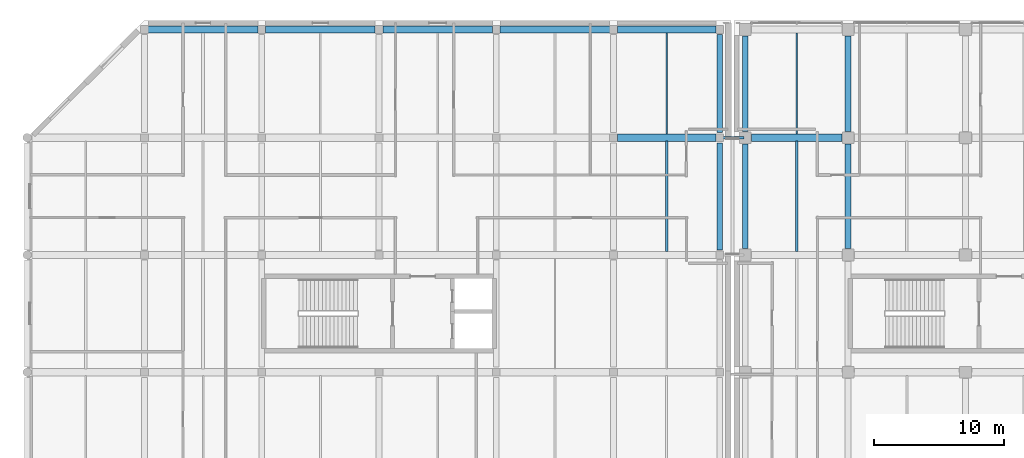
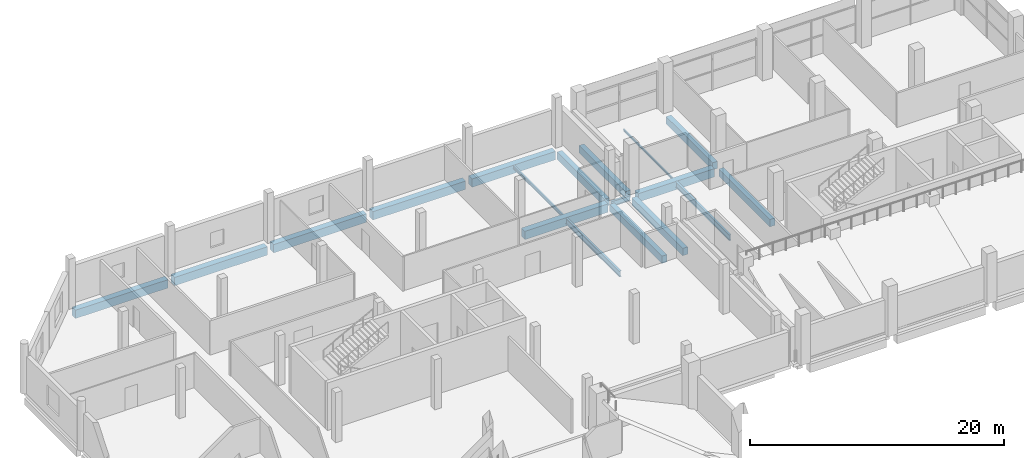
# One storey, part 29 of 100: 18 beams.
"""IFC4 building model written with IfcOpenShell, lengths in metres."""

from ifc_helpers import new_model, si_unit, direction, frame, origin, origin_2d, place, context, subcontext, project, spatial, rectangle, i_section, extrude, material, material_profile, profile_set, type_object, element, save


model = new_model("IFC4")

# Units and contexts
model_context = context("Model", 3, precision=1e-05, world=origin(), true_north=direction((0.0, 1.0)))
body_context = subcontext(model_context, "Body", "Model", "MODEL_VIEW")
ifc_project = project(units=[si_unit("LENGTHUNIT", "METRE"), si_unit("AREAUNIT", "SQUARE_METRE"), si_unit("VOLUMEUNIT", "CUBIC_METRE"), si_unit("PLANEANGLEUNIT", "RADIAN"), si_unit("MASSUNIT", "GRAM", prefix="KILO"), si_unit("THERMODYNAMICTEMPERATUREUNIT", "KELVIN"), si_unit("POWERUNIT", "WATT")], contexts=[model_context])

# Site, building, storey
site_placement = place(None, origin())
site = spatial("IfcSite", under=ifc_project, at=site_placement, CompositionType="ELEMENT")
building_placement = place(site_placement, origin())
building = spatial("IfcBuilding", under=site, at=building_placement, Name="Sindhuravela Promenade Stadium", CompositionType="ELEMENT")
storey_placement = place(building_placement, frame((0.0, 0.0, 4.800048828125)))
storey = spatial("IfcBuildingStorey", under=building, at=storey_placement, Name="L01", CompositionType="ELEMENT", Elevation=4.800048828125)

# Beams
ifc_material_1 = material(Name="Concrete M40", Category="concrete")
ifc_material_profile_1 = material_profile(ifc_material_1, rectangle(XDim=0.449951171875, YDim=0.699951171875, at=origin_2d()), Name="RC 450x700")
ifc_profile_set_1 = profile_set([ifc_material_profile_1], Name="Concrete M40")
beam_type_1 = type_object("IfcBeamType", Name="RC-BM-450x700", PredefinedType="BEAM", material=ifc_profile_set_1)
beam_1_placement = place(storey_placement, frame((55.10009765625, 144.489990234375, -0.650146484375), z_axis=(0.0, 1.0, 0.0), x_axis=(-1.0, 0.0, 0.0)))
element("IfcBeam", 1, at=beam_1_placement, inside=storey, type_object=beam_type_1, Name="Primary beam GB07 NORTH L01", PredefinedType="BEAM", context=body_context, shape_type="SweptSolid", body=[
    extrude(rectangle(XDim=0.449951171875, YDim=0.699951171875, at=origin_2d()), origin(), (0.0, 0.0, 1.0), 8.02001953125),
])
beam_2_placement = place(storey_placement, frame((55.10009765625, 153.489990234375, -0.650146484375), z_axis=(0.0, 1.0, 0.0), x_axis=(-1.0, 0.0, 0.0)))
element("IfcBeam", 2, at=beam_2_placement, inside=storey, type_object=beam_type_1, Name="Primary beam GB07 NORTH L01", PredefinedType="BEAM", context=body_context, shape_type="SweptSolid", body=[
    extrude(rectangle(XDim=0.449951171875, YDim=0.699951171875, at=origin_2d()), origin(), (0.0, 0.0, 1.0), 7.320068359375),
])
beam_3_placement = place(storey_placement, frame((63.0, 144.489990234375, -0.650146484375), z_axis=(0.0, 1.0, 0.0), x_axis=(-1.0, 0.0, 0.0)))
element("IfcBeam", 3, at=beam_3_placement, inside=storey, type_object=beam_type_1, Name="Primary beam GB07 NORTH L01", PredefinedType="BEAM", context=body_context, shape_type="SweptSolid", body=[
    extrude(rectangle(XDim=0.449951171875, YDim=0.699951171875, at=origin_2d()), origin(), (0.0, 0.0, 1.0), 8.02001953125),
])
beam_4_placement = place(storey_placement, frame((63.0, 153.489990234375, -0.650146484375), z_axis=(0.0, 1.0, 0.0), x_axis=(-1.0, 0.0, 0.0)))
element("IfcBeam", 4, at=beam_4_placement, inside=storey, type_object=beam_type_1, Name="Primary beam GB07 NORTH L01", PredefinedType="BEAM", context=body_context, shape_type="SweptSolid", body=[
    extrude(rectangle(XDim=0.449951171875, YDim=0.699951171875, at=origin_2d()), origin(), (0.0, 0.0, 1.0), 7.320068359375),
])
beam_5_placement = place(storey_placement, frame((53.14990234375, 144.389892578125, -0.650146484375), z_axis=(0.0, 1.0, 0.0), x_axis=(-1.0, 0.0, 0.0)))
element("IfcBeam", 5, at=beam_5_placement, inside=storey, type_object=beam_type_1, Name="Primary beam GB07 Pavilion NW L01", PredefinedType="BEAM", context=body_context, shape_type="SweptSolid", body=[
    extrude(rectangle(XDim=0.449951171875, YDim=0.699951171875, at=origin_2d()), origin(), (0.0, 0.0, 1.0), 8.22021484375),
])
beam_6_placement = place(storey_placement, frame((53.14990234375, 153.389892578125, -0.650146484375), z_axis=(0.0, 1.0, 0.0), x_axis=(-1.0, 0.0, 0.0)))
element("IfcBeam", 6, at=beam_6_placement, inside=storey, type_object=beam_type_1, Name="Primary beam GB07 Pavilion NW L01", PredefinedType="BEAM", context=body_context, shape_type="SweptSolid", body=[
    extrude(rectangle(XDim=0.449951171875, YDim=0.699951171875, at=origin_2d()), origin(), (0.0, 0.0, 1.0), 7.52001953125),
])
ifc_material_profile_2 = material_profile(ifc_material_1, rectangle(XDim=0.550048828125, YDim=0.800048828125, at=origin_2d()), Name="RC 550x800")
ifc_profile_set_2 = profile_set([ifc_material_profile_2], Name="Concrete M40")
beam_type_2 = type_object("IfcBeamType", Name="RC-BM-550x800", PredefinedType="BEAM", material=ifc_profile_set_2)
beam_7_placement = place(storey_placement, frame((55.590087890625, 153.0, -0.699951171875), z_axis=(1.0, 0.0, 0.0), x_axis=(0.0, 1.0, 0.0)))
element("IfcBeam", 7, at=beam_7_placement, inside=storey, type_object=beam_type_2, Name="Primary girder GB05 NORTH L01", PredefinedType="BEAM", context=body_context, shape_type="SweptSolid", body=[
    extrude(rectangle(XDim=0.550048828125, YDim=0.800048828125, at=origin_2d()), origin(), (0.0, 0.0, 1.0), 6.919921875),
])
beam_8_placement = place(storey_placement, frame((45.2900390625, 153.0, -0.699951171875), z_axis=(1.0, 0.0, 0.0), x_axis=(0.0, 1.0, 0.0)))
element("IfcBeam", 8, at=beam_8_placement, inside=storey, type_object=beam_type_2, Name="Primary girder GB05 Pavilion NW L01", PredefinedType="BEAM", context=body_context, shape_type="SweptSolid", body=[
    extrude(rectangle(XDim=0.550048828125, YDim=0.800048828125, at=origin_2d()), origin(), (0.0, 0.0, 1.0), 7.570068359375),
])
for number, where, z_axis, x_axis, name in (
    (9, (9.2900390625, 161.300048828125, -0.699951171875), (1.0, 0.0, 0.0), (0.0, 1.0, 0.0), "Primary girder GB05 Pavilion NW L01"),
    (10, (18.2900390625, 161.300048828125, -0.699951171875), (1.0, 0.0, 0.0), (0.0, 1.0, 0.0), "Primary girder GB05 Pavilion NW L01"),
    (11, (27.2900390625, 161.300048828125, -0.699951171875), (1.0, 0.0, 0.0), (0.0, 1.0, 0.0), "Primary girder GB05 Pavilion NW L01"),
    (12, (36.2900390625, 161.300048828125, -0.699951171875), (1.0, 0.0, 0.0), (0.0, 1.0, 0.0), "Primary girder GB05 Pavilion NW L01"),
):
    element("IfcBeam", number, at=place(storey_placement, frame(where, z_axis=z_axis, x_axis=x_axis)), inside=storey, type_object=beam_type_2, Name=name, PredefinedType="BEAM", context=body_context, shape_type="SweptSolid", body=[
        extrude(rectangle(XDim=0.550048828125, YDim=0.800048828125, at=origin_2d()), origin(), (0.0, 0.0, 1.0), 8.419921875),
    ])
beam_9_placement = place(storey_placement, frame((45.2900390625, 161.300048828125, -0.699951171875), z_axis=(1.0, 0.0, 0.0), x_axis=(0.0, 1.0, 0.0)))
element("IfcBeam", 13, at=beam_9_placement, inside=storey, type_object=beam_type_2, Name="Primary girder GB05 Pavilion NW L01", PredefinedType="BEAM", context=body_context, shape_type="SweptSolid", body=[
    extrude(rectangle(XDim=0.550048828125, YDim=0.800048828125, at=origin_2d()), origin(), (0.0, 0.0, 1.0), 7.570068359375),
])
ifc_material_2 = material(Name="Steel E350 (IS 2062 E350BR)", Category="steel")
ifc_material_profile_3 = material_profile(ifc_material_2, i_section(OverallWidth=0.10009765625, OverallDepth=0.199951171875, WebThickness=0.005615234375, FlangeThickness=0.0107421875, FilletRadius=0.010986328125, at=origin_2d()), Name="ISMB 200")
ifc_profile_set_3 = profile_set([ifc_material_profile_3], Name="Steel E350 (IS 2062 E350BR)")
beam_type_3 = type_object("IfcBeamType", Name="ST-BM-MB200", PredefinedType="JOIST", material=ifc_profile_set_3)
beam_10_placement = place(storey_placement, frame((59.050048828125, 153.264892578125, -0.400146484375), z_axis=(0.0, 1.0, 0.0), x_axis=(-1.0, 0.0, 0.0)))
element("IfcBeam", 14, at=beam_10_placement, inside=storey, type_object=beam_type_3, Name="Secondary floor joist SB01 NORTH L01", PredefinedType="JOIST", context=body_context, shape_type="SweptSolid", body=[
    extrude(i_section(OverallWidth=0.10009765625, OverallDepth=0.199951171875, WebThickness=0.005615234375, FlangeThickness=0.0107421875, FilletRadius=0.010986328125, at=origin_2d()), origin(), (0.0, 0.0, 1.0), 7.77001953125),
])
ifc_material_profile_4 = material_profile(ifc_material_2, i_section(OverallWidth=0.139892578125, OverallDepth=0.300048828125, WebThickness=0.0078125, FlangeThickness=0.01318359375, FilletRadius=0.013916015625, at=origin_2d()), Name="ISMB 300")
ifc_profile_set_4 = profile_set([ifc_material_profile_4], Name="Steel E350 (IS 2062 E350BR)")
beam_type_4 = type_object("IfcBeamType", Name="ST-BM-MB300", PredefinedType="JOIST", material=ifc_profile_set_4)
beam_11_placement = place(storey_placement, frame((49.074951171875, 153.264892578125, -0.449951171875), z_axis=(0.0, 1.0, 0.0), x_axis=(-1.0, 0.0, 0.0)))
element("IfcBeam", 15, at=beam_11_placement, inside=storey, type_object=beam_type_4, Name="Secondary floor joist SB03 Pavilion NW L01", PredefinedType="JOIST", context=body_context, shape_type="SweptSolid", body=[
    extrude(i_section(OverallWidth=0.139892578125, OverallDepth=0.300048828125, WebThickness=0.0078125, FlangeThickness=0.01318359375, FilletRadius=0.013916015625, at=origin_2d()), origin(), (0.0, 0.0, 1.0), 7.77001953125),
])
ifc_material_profile_5 = material_profile(ifc_material_2, i_section(OverallWidth=0.179931640625, OverallDepth=0.5, WebThickness=0.01025390625, FlangeThickness=0.01708984375, FilletRadius=0.01708984375, at=origin_2d()), Name="ISMB 500")
ifc_profile_set_5 = profile_set([ifc_material_profile_5], Name="Steel E350 (IS 2062 E350BR)")
beam_type_5 = type_object("IfcBeamType", Name="ST-BM-MB500", PredefinedType="BEAM", material=ifc_profile_set_5)
beam_12_placement = place(storey_placement, frame((53.25, 153.0, -0.610107421875), z_axis=(1.0, 0.0, 0.0), x_axis=(0.0, 1.0, 0.0)))
element("IfcBeam", 16, at=beam_12_placement, inside=storey, type_object=beam_type_5, Name="Concourse link bridge L01 North-NW PTFE sliding girder T", PredefinedType="BEAM", context=body_context, shape_type="SweptSolid", body=[
    extrude(i_section(OverallWidth=0.179931640625, OverallDepth=0.5, WebThickness=0.01025390625, FlangeThickness=0.01708984375, FilletRadius=0.01708984375, at=origin_2d()), origin(), (0.0, 0.0, 1.0), 1.75),
])
ifc_material_profile_6 = material_profile(ifc_material_2, i_section(OverallWidth=0.18994140625, OverallDepth=0.550048828125, WebThickness=0.01123046875, FlangeThickness=0.019287109375, FilletRadius=0.01806640625, at=origin_2d()), Name="ISMB 550")
ifc_profile_set_6 = profile_set([ifc_material_profile_6], Name="Steel E350 (IS 2062 E350BR)")
beam_type_6 = type_object("IfcBeamType", Name="ST-BM-MB550", PredefinedType="SPANDREL", material=ifc_profile_set_6)
for number, where, z_axis, x_axis, name in (
    (17, (59.050048828125, 144.264892578125, -0.574951171875), (0.0, 1.0, 0.0), (-1.0, 0.0, 0.0), "Secondary floor joist SB08 NORTH L01"),
    (18, (49.074951171875, 144.264892578125, -0.574951171875), (0.0, 1.0, 0.0), (-1.0, 0.0, 0.0), "Secondary floor joist SB08 Pavilion NW L01"),
):
    element("IfcBeam", number, at=place(storey_placement, frame(where, z_axis=z_axis, x_axis=x_axis)), inside=storey, type_object=beam_type_6, Name=name, PredefinedType="SPANDREL", context=body_context, shape_type="SweptSolid", body=[
        extrude(i_section(OverallWidth=0.18994140625, OverallDepth=0.550048828125, WebThickness=0.01123046875, FlangeThickness=0.019287109375, FilletRadius=0.01806640625, at=origin_2d()), origin(), (0.0, 0.0, 1.0), 8.47021484375),
    ])

save(model, "model.ifc")
